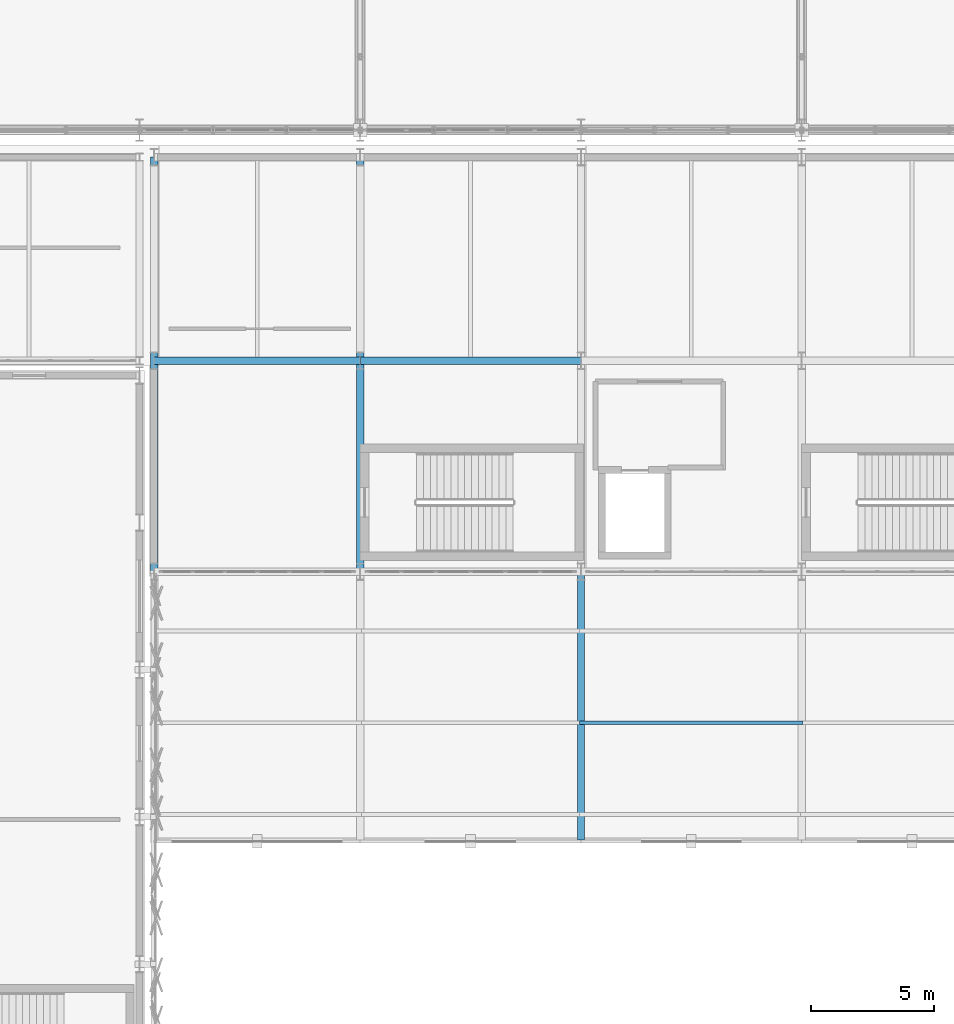
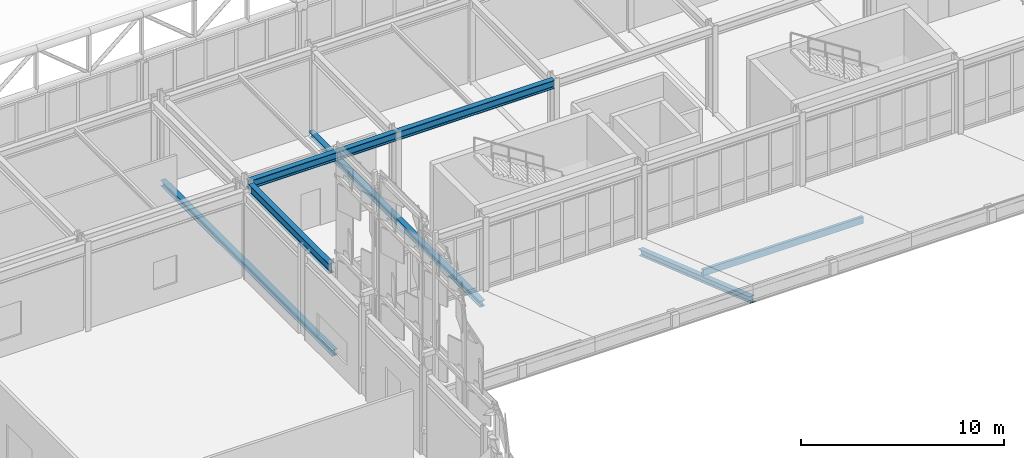
# One storey, part 51 of 239: 4 members, 3 beams.
"""IFC4 building model written with IfcOpenShell, lengths in metres."""

from ifc_helpers import new_model, si_unit, direction, frame, origin, origin_2d, place, context, subcontext, project, spatial, rectangle, i_section, extrude, material, material_profile, profile_set, type_object, element, save


model = new_model("IFC4")

# Units and contexts
model_context = context("Model", 3, precision=1e-05, world=origin(), true_north=direction((0.0, 1.0)))
body_context = subcontext(model_context, "Body", "Model", "MODEL_VIEW")
ifc_project = project(units=[si_unit("LENGTHUNIT", "METRE"), si_unit("AREAUNIT", "SQUARE_METRE"), si_unit("VOLUMEUNIT", "CUBIC_METRE"), si_unit("PLANEANGLEUNIT", "RADIAN"), si_unit("MASSUNIT", "GRAM", prefix="KILO")], contexts=[model_context])

# Site, building, storey
site_placement = place(None, origin())
site = spatial("IfcSite", under=ifc_project, at=site_placement, CompositionType="ELEMENT")
building_placement = place(site_placement, origin())
building = spatial("IfcBuilding", under=site, at=building_placement, Name="Kaldris Quays Convention Centre", CompositionType="ELEMENT")
storey_placement = place(building_placement, frame((0.0, 0.0, 11.39990234375)))
storey = spatial("IfcBuildingStorey", under=building, at=storey_placement, Name="L02", CompositionType="ELEMENT", Elevation=11.39990234375)

# Beams
ifc_material_1 = material(Name="Steel S355J2", Category="steel")
ifc_material_profile_1 = material_profile(ifc_material_1, i_section(OverallWidth=0.300048828125, OverallDepth=0.5, WebThickness=0.014404296875, FlangeThickness=0.028076171875, FilletRadius=0.027099609375, at=origin_2d()), Name="HEB 500")
ifc_profile_set_1 = profile_set([ifc_material_profile_1], Name="Steel S355J2")
beam_type_1 = type_object("IfcBeamType", Name="STRUCTURAL BEAM BM06", PredefinedType="BEAM", material=ifc_profile_set_1)
beam_1_placement = place(storey_placement, frame((83.6025390625, 46.60009765625, 4.9130859375), z_axis=(1.0, 0.0, 0.0), x_axis=(0.0, 1.0, 0.0)))
element("IfcBeam", 1, at=beam_1_placement, inside=storey, type_object=beam_type_1, Name="L02 Girder BM06 10", PredefinedType="BEAM", context=body_context, shape_type="SweptSolid", body=[
    extrude(i_section(OverallWidth=0.300048828125, OverallDepth=0.5, WebThickness=0.014404296875, FlangeThickness=0.028076171875, FilletRadius=0.027099609375, at=origin_2d()), origin(), (0.0, 0.0, 1.0), 8.39501953125),
])
beam_2_placement = place(storey_placement, frame((92.00244140625, 46.60009765625, 4.9130859375), z_axis=(1.0, 0.0, 0.0), x_axis=(0.0, 1.0, 0.0)))
element("IfcBeam", 2, at=beam_2_placement, inside=storey, type_object=beam_type_1, Name="L02 Girder BM06 11", PredefinedType="BEAM", context=body_context, shape_type="SweptSolid", body=[
    extrude(i_section(OverallWidth=0.300048828125, OverallDepth=0.5, WebThickness=0.014404296875, FlangeThickness=0.028076171875, FilletRadius=0.027099609375, at=origin_2d()), origin(), (0.0, 0.0, 1.0), 8.9951171875),
])
ifc_material_profile_2 = material_profile(ifc_material_1, i_section(OverallWidth=0.300048828125, OverallDepth=0.590087890625, WebThickness=0.012939453125, FlangeThickness=0.02490234375, FilletRadius=0.027099609375, at=origin_2d()), Name="HEA 600")
ifc_profile_set_2 = profile_set([ifc_material_profile_2], Name="Steel S355J2")
beam_type_2 = type_object("IfcBeamType", Name="STRUCTURAL BEAM BM08", PredefinedType="BEAM", material=ifc_profile_set_2)
beam_3_placement = place(storey_placement, frame((83.60009765625, 38.343994140625, 4.8681640625), z_axis=(0.0, 1.0, 0.0), x_axis=(-1.0, 0.0, 0.0)))
element("IfcBeam", 3, at=beam_3_placement, inside=storey, type_object=beam_type_2, Name="L02 Girder BM08 56", PredefinedType="BEAM", context=body_context, shape_type="SweptSolid", body=[
    extrude(i_section(OverallWidth=0.300048828125, OverallDepth=0.590087890625, WebThickness=0.012939453125, FlangeThickness=0.02490234375, FilletRadius=0.027099609375, at=origin_2d()), origin(), (0.0, 0.0, 1.0), 7.912109375),
])

# Members
ifc_material_2 = material(Name="Glulam GL28h", Category="wood")
ifc_material_profile_3 = material_profile(ifc_material_2, rectangle(XDim=0.159912109375, YDim=0.39990234375, at=origin_2d()), Name="GL 160x400")
ifc_profile_set_3 = profile_set([ifc_material_profile_3], Name="Glulam GL28h")
member_type_1 = type_object("IfcMemberType", Name="STRUCTURAL MEMBER PR01", PredefinedType="PURLIN", material=ifc_profile_set_3)
member_1_placement = place(storey_placement, frame((100.949951171875, 31.840087890625, 2.489013671875), z_axis=(1.0, 0.0, 0.0), x_axis=(0.0, 1.0, 0.0)))
element("IfcMember", 4, at=member_1_placement, inside=storey, type_object=member_type_1, Name="WR-SOUTH-ENTRY Glulam Wing Purlin 3", PredefinedType="PURLIN", context=body_context, shape_type="SweptSolid", body=[
    extrude(rectangle(XDim=0.159912109375, YDim=0.39990234375, at=origin_2d()), origin(), (0.0, 0.0, 1.0), 9.10009765625),
])
ifc_material_profile_4 = material_profile(ifc_material_1, i_section(OverallWidth=0.300048828125, OverallDepth=0.35009765625, WebThickness=0.010009765625, FlangeThickness=0.017578125, FilletRadius=0.027099609375, at=origin_2d()), Name="HEA 360")
ifc_profile_set_4 = profile_set([ifc_material_profile_4], Name="Steel S355J2")
member_type_2 = type_object("IfcMemberType", Name="STRUCTURAL MEMBER WRF1", PredefinedType="RAFTER", material=ifc_profile_set_4)
for number, where, z_axis, x_axis, name in (
    (5, (83.60009765625, 54.89990234375, -0.000244140625), (0.0, -1.0, 0.0), (1.0, 0.0, 0.0), "WR-SOUTH-ENTRY Wing Rafter Backspan 1"),
    (6, (92.0, 54.89990234375, -0.000244140625), (0.0, -1.0, 0.0), (1.0, 0.0, 0.0), "WR-SOUTH-ENTRY Wing Rafter Backspan 2"),
):
    element("IfcMember", number, at=place(storey_placement, frame(where, z_axis=z_axis, x_axis=x_axis)), inside=storey, type_object=member_type_2, Name=name, PredefinedType="RAFTER", context=body_context, shape_type="SweptSolid", body=[
        extrude(i_section(OverallWidth=0.300048828125, OverallDepth=0.35009765625, WebThickness=0.010009765625, FlangeThickness=0.017578125, FilletRadius=0.027099609375, at=origin_2d()), origin(), (0.0, 0.0, 1.0), 16.89990234375),
    ])
member_2_placement = place(storey_placement, frame((101.0, 38.0, -0.000244140625), z_axis=(0.0, -0.945518736739, 0.325567686474), x_axis=(1.0, 0.0, 0.0)))
element("IfcMember", 7, at=member_2_placement, inside=storey, type_object=member_type_2, Name="WR-SOUTH-ENTRY Wing Cantilever Rafter 3", PredefinedType="RAFTER", context=body_context, shape_type="SweptSolid", body=[
    extrude(i_section(OverallWidth=0.300048828125, OverallDepth=0.35009765625, WebThickness=0.010009765625, FlangeThickness=0.017578125, FilletRadius=0.027099609375, at=origin_2d()), origin(), (0.0, 0.0, 1.0), 11.6337890625),
])

save(model, "model.ifc")
